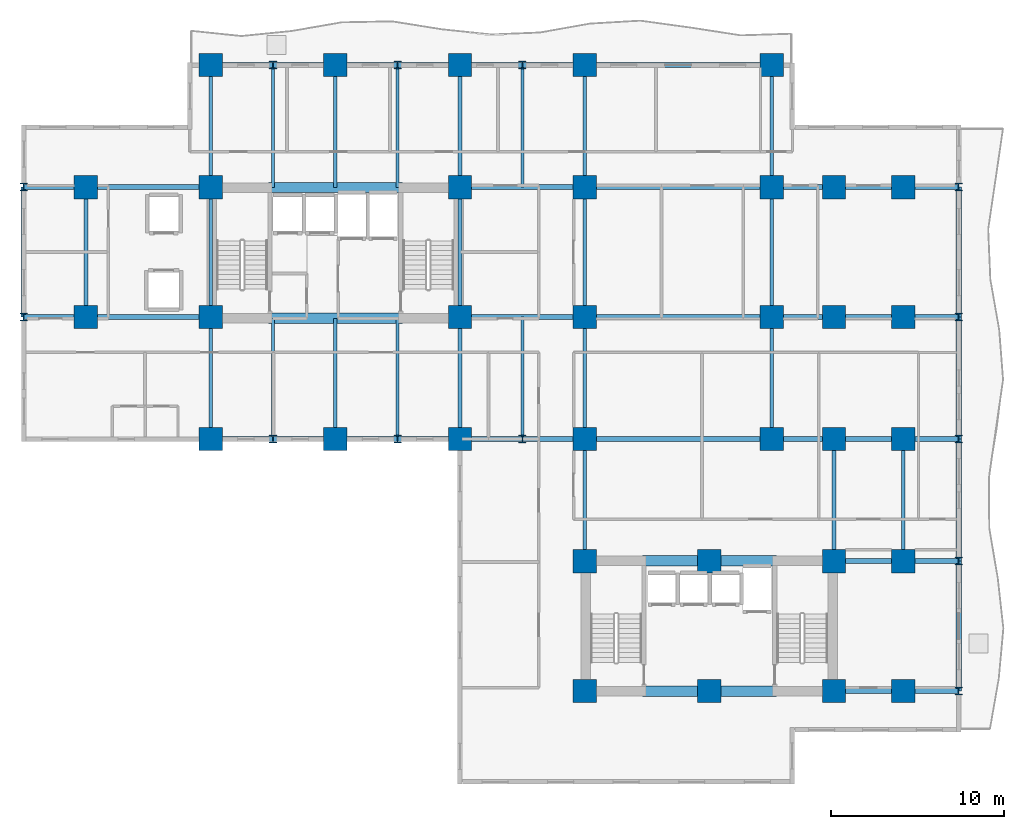
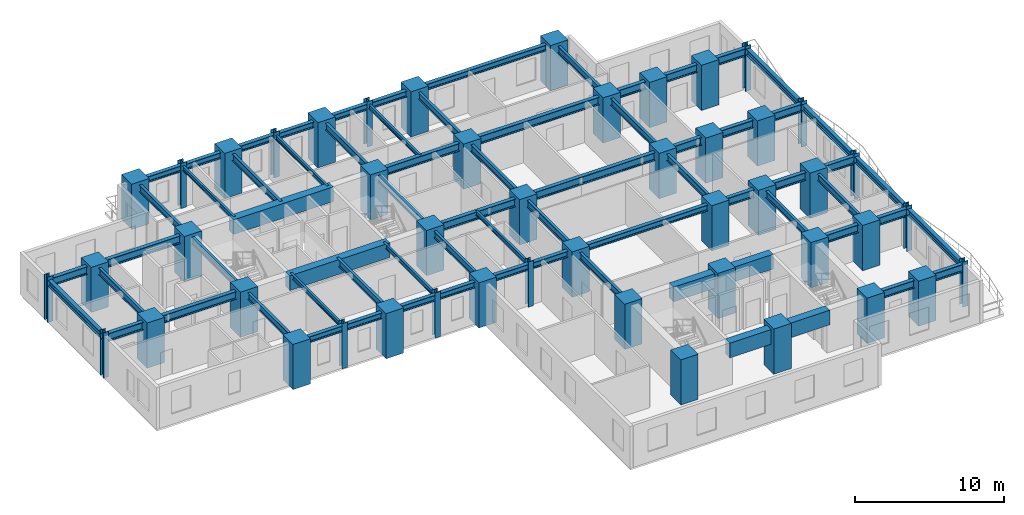
# One storey, part 1 of 11: 68 beams, 47 columns.
"""IFC4 building model written with IfcOpenShell, lengths in metres."""

from ifc_helpers import new_model, si_unit, direction, frame, origin, origin_2d, place, context, subcontext, project, spatial, rectangle, i_section, extrude, source, transform, mapped, material, material_profile, profile_set, type_object, element, save


model = new_model("IFC4")

# Units and contexts
model_context = context("Model", 3, precision=1e-05, world=origin(), true_north=direction((0.0, 1.0)))
body_context = subcontext(model_context, "Body", "Model", "MODEL_VIEW")
ifc_project = project(units=[si_unit("LENGTHUNIT", "METRE"), si_unit("AREAUNIT", "SQUARE_METRE"), si_unit("VOLUMEUNIT", "CUBIC_METRE"), si_unit("PLANEANGLEUNIT", "RADIAN"), si_unit("MASSUNIT", "GRAM", prefix="KILO")], contexts=[model_context])

# Site, building, storey
site_placement = place(None, origin())
site = spatial("IfcSite", under=ifc_project, at=site_placement, CompositionType="ELEMENT")
building_placement = place(site_placement, origin())
building = spatial("IfcBuilding", under=site, at=building_placement, Name="Kaliganga Portal Commons", CompositionType="ELEMENT")
storey_placement = place(building_placement, frame((0.0, 0.0, 54.89990234375)))
storey = spatial("IfcBuildingStorey", under=building, at=storey_placement, Name="L13", CompositionType="ELEMENT", Elevation=54.89990234375)

# Columns
ifc_material_1 = material(Name="Concrete C70/85", Category="concrete")
ifc_material_profile_1 = material_profile(ifc_material_1, rectangle(XDim=1.35009765625, YDim=1.35009765625, at=origin_2d()), Name="RC 1350x1350")
ifc_profile_set_1 = profile_set([ifc_material_profile_1], Name="Concrete C70/85")
column_type_1 = type_object("IfcColumnType", Name="COL-MEGA-Z1", PredefinedType="COLUMN", material=ifc_profile_set_1)
shared_shape_1 = source(origin(), body_context, "Body", "SweptSolid", [
    extrude(rectangle(XDim=1.35009765625, YDim=1.35009765625, at=origin_2d()), origin(), (0.0, 0.0, 1.0), 3.7001953125),
])
for number, where, z_axis, x_axis, name in (
    (1, (7.199951171875, 28.64990234375, 0.0), (0.0, 0.0, 1.0), (1.0, 0.0, 0.0), "Column MC-02 L13"),
    (2, (7.199951171875, 36.14990234375, 0.0), (0.0, 0.0, 1.0), (1.0, 0.0, 0.0), "Column MC-02 L13"),
    (3, (14.39990234375, 21.60009765625, 0.0), (0.0, 0.0, 1.0), (1.0, 0.0, 0.0), "Column MC-02 L13"),
    (4, (14.39990234375, 28.64990234375, 0.0), (0.0, 0.0, 1.0), (1.0, 0.0, 0.0), "Column MC-02 L13"),
    (5, (14.39990234375, 36.14990234375, 0.0), (0.0, 0.0, 1.0), (1.0, 0.0, 0.0), "Column MC-02 L13"),
    (6, (14.39990234375, 43.199951171875, 0.0), (0.0, 0.0, 1.0), (1.0, 0.0, 0.0), "Column MC-02 L13"),
    (7, (21.60009765625, 21.60009765625, 0.0), (0.0, 0.0, 1.0), (1.0, 0.0, 0.0), "Column MC-02 L13"),
    (8, (21.60009765625, 43.199951171875, 0.0), (0.0, 0.0, 1.0), (1.0, 0.0, 0.0), "Column MC-02 L13"),
    (9, (28.800048828125, 21.60009765625, 0.0), (0.0, 0.0, 1.0), (1.0, 0.0, 0.0), "Column MC-02 L13"),
    (10, (28.800048828125, 28.64990234375, 0.0), (0.0, 0.0, 1.0), (1.0, 0.0, 0.0), "Column MC-02 L13"),
    (11, (28.800048828125, 36.14990234375, 0.0), (0.0, 0.0, 1.0), (1.0, 0.0, 0.0), "Column MC-02 L13"),
    (12, (28.800048828125, 43.199951171875, 0.0), (0.0, 0.0, 1.0), (1.0, 0.0, 0.0), "Column MC-02 L13"),
    (13, (36.0, 21.60009765625, 0.0), (0.0, 0.0, 1.0), (1.0, 0.0, 0.0), "Column MC-02 L13"),
    (14, (36.0, 43.199951171875, 0.0), (0.0, 0.0, 1.0), (1.0, 0.0, 0.0), "Column MC-02 L13"),
    (15, (36.0, 28.64990234375, 0.0), (0.0, 0.0, 1.0), (1.0, 0.0, 0.0), "Column MC-02 L13"),
    (16, (36.0, 36.14990234375, 0.0), (0.0, 0.0, 1.0), (1.0, 0.0, 0.0), "Column MC-02 L13"),
    (17, (46.800048828125, 21.60009765625, 0.0), (0.0, 0.0, 1.0), (1.0, 0.0, 0.0), "Column MC-02 L13"),
    (18, (46.800048828125, 28.64990234375, 0.0), (0.0, 0.0, 1.0), (1.0, 0.0, 0.0), "Column MC-02 L13"),
    (19, (46.800048828125, 36.14990234375, 0.0), (0.0, 0.0, 1.0), (1.0, 0.0, 0.0), "Column MC-02 L13"),
    (20, (46.800048828125, 43.199951171875, 0.0), (0.0, 0.0, 1.0), (1.0, 0.0, 0.0), "Column MC-02 L13"),
    (21, (36.0, 7.050048828125, 0.0), (0.0, 0.0, 1.0), (1.0, 0.0, 0.0), "Column MC-02 L13"),
    (22, (36.0, 14.550048828125, 0.0), (0.0, 0.0, 1.0), (1.0, 0.0, 0.0), "Column MC-02 L13"),
    (23, (43.199951171875, 7.050048828125, 0.0), (0.0, 0.0, 1.0), (1.0, 0.0, 0.0), "Column MC-02 L13"),
    (24, (43.199951171875, 14.550048828125, 0.0), (0.0, 0.0, 1.0), (1.0, 0.0, 0.0), "Column MC-02 L13"),
    (25, (50.39990234375, 7.050048828125, 0.0), (0.0, 0.0, 1.0), (1.0, 0.0, 0.0), "Column MC-02 L13"),
    (26, (50.39990234375, 14.550048828125, 0.0), (0.0, 0.0, 1.0), (1.0, 0.0, 0.0), "Column MC-02 L13"),
    (27, (50.39990234375, 21.60009765625, 0.0), (0.0, 0.0, 1.0), (1.0, 0.0, 0.0), "Column MC-02 L13"),
    (28, (50.39990234375, 28.64990234375, 0.0), (0.0, 0.0, 1.0), (1.0, 0.0, 0.0), "Column MC-02 L13"),
    (29, (50.39990234375, 36.14990234375, 0.0), (0.0, 0.0, 1.0), (1.0, 0.0, 0.0), "Column MC-02 L13"),
    (30, (54.39990234375, 7.050048828125, 0.0), (0.0, 0.0, 1.0), (1.0, 0.0, 0.0), "Column MC-02 L13"),
    (31, (54.39990234375, 14.550048828125, 0.0), (0.0, 0.0, 1.0), (1.0, 0.0, 0.0), "Column MC-02 L13"),
    (32, (54.39990234375, 21.60009765625, 0.0), (0.0, 0.0, 1.0), (1.0, 0.0, 0.0), "Column MC-02 L13"),
    (33, (54.39990234375, 28.64990234375, 0.0), (0.0, 0.0, 1.0), (1.0, 0.0, 0.0), "Column MC-02 L13"),
    (34, (54.39990234375, 36.14990234375, 0.0), (0.0, 0.0, 1.0), (1.0, 0.0, 0.0), "Column MC-02 L13"),
):
    element("IfcColumn", number, at=place(storey_placement, frame(where, z_axis=z_axis, x_axis=x_axis)), inside=storey, type_object=column_type_1, Name=name, PredefinedType="COLUMN", context=body_context, shape_type="MappedRepresentation", body=[
        mapped(shared_shape_1, transform((0.0, 0.0, 0.0), x_axis=(1.0, 0.0, 0.0), y_axis=(0.0, 1.0, 0.0), z_axis=(0.0, 0.0, 1.0), scale=1.0)),
    ])
ifc_material_2 = material(Name="Structural steel S460M", Category="steel")
ifc_material_profile_2 = material_profile(ifc_material_2, i_section(OverallWidth=0.416015625, OverallDepth=0.446044921875, WebThickness=0.029052734375, FlangeThickness=0.0400390625, FilletRadius=0.014892578125, at=origin_2d()), Name="HD 400x509")
ifc_profile_set_2 = profile_set([ifc_material_profile_2], Name="Structural steel S460M wide-flange")
column_type_2 = type_object("IfcColumnType", Name="COL-TUBE-B1", PredefinedType="COLUMN", material=ifc_profile_set_2)
shared_shape_2 = source(origin(), body_context, "Body", "SweptSolid", [
    extrude(i_section(OverallWidth=0.416015625, OverallDepth=0.446044921875, WebThickness=0.029052734375, FlangeThickness=0.0400390625, FilletRadius=0.014892578125, at=origin_2d()), origin(), (0.0, 0.0, 1.0), 3.7001953125),
])
for number, where, z_axis, x_axis, name in (
    (35, (3.60009765625, 28.64990234375, 0.0), (0.0, 0.0, 1.0), (1.0, 0.0, 0.0), "Column TC-01 L13"),
    (36, (3.60009765625, 36.14990234375, 0.0), (0.0, 0.0, 1.0), (1.0, 0.0, 0.0), "Column TC-01 L13"),
    (37, (18.0, 21.60009765625, 0.0), (0.0, 0.0, 1.0), (1.0, 0.0, 0.0), "Column TC-01 L13"),
    (38, (18.0, 43.199951171875, 0.0), (0.0, 0.0, 1.0), (1.0, 0.0, 0.0), "Column TC-01 L13"),
    (39, (25.199951171875, 21.60009765625, 0.0), (0.0, 0.0, 1.0), (1.0, 0.0, 0.0), "Column TC-01 L13"),
    (40, (25.199951171875, 43.199951171875, 0.0), (0.0, 0.0, 1.0), (1.0, 0.0, 0.0), "Column TC-01 L13"),
    (41, (32.39990234375, 21.60009765625, 0.0), (0.0, 0.0, 1.0), (1.0, 0.0, 0.0), "Column TC-01 L13"),
    (42, (32.39990234375, 43.199951171875, 0.0), (0.0, 0.0, 1.0), (1.0, 0.0, 0.0), "Column TC-01 L13"),
    (43, (57.60009765625, 7.050048828125, 0.0), (0.0, 0.0, 1.0), (1.0, 0.0, 0.0), "Column TC-01 L13"),
    (44, (57.60009765625, 14.550048828125, 0.0), (0.0, 0.0, 1.0), (1.0, 0.0, 0.0), "Column TC-01 L13"),
    (45, (57.60009765625, 21.60009765625, 0.0), (0.0, 0.0, 1.0), (1.0, 0.0, 0.0), "Column TC-01 L13"),
    (46, (57.60009765625, 28.64990234375, 0.0), (0.0, 0.0, 1.0), (1.0, 0.0, 0.0), "Column TC-01 L13"),
    (47, (57.60009765625, 36.14990234375, 0.0), (0.0, 0.0, 1.0), (1.0, 0.0, 0.0), "Column TC-01 L13"),
):
    element("IfcColumn", number, at=place(storey_placement, frame(where, z_axis=z_axis, x_axis=x_axis)), inside=storey, type_object=column_type_2, Name=name, PredefinedType="COLUMN", context=body_context, shape_type="MappedRepresentation", body=[
        mapped(shared_shape_2, transform((0.0, 0.0, 0.0), x_axis=(1.0, 0.0, 0.0), y_axis=(0.0, 1.0, 0.0), z_axis=(0.0, 0.0, 1.0), scale=1.0)),
    ])

# Beams
ifc_material_3 = material(Name="Concrete C60/75", Category="concrete")
ifc_material_profile_3 = material_profile(ifc_material_3, rectangle(XDim=0.60009765625, YDim=1.199951171875, at=origin_2d()), Name="RC 600x1200")
ifc_profile_set_3 = profile_set([ifc_material_profile_3], Name="Concrete C60/75")
beam_type_1 = type_object("IfcBeamType", Name="BM-CPL-1200", PredefinedType="LINTEL", material=ifc_profile_set_3)
shared_shape_3 = source(origin(), body_context, "Body", "SweptSolid", [
    extrude(rectangle(XDim=0.60009765625, YDim=1.199951171875, at=origin_2d()), origin(), (0.0, 0.0, 1.0), 7.739990234375),
])
for number, where, z_axis, x_axis, name in (
    (48, (17.72998046875, 28.574951171875, 2.85009765625), (1.0, 0.0, 0.0), (0.0, 1.0, 0.0), "BM CPL COREA L13 S"),
    (49, (17.72998046875, 36.125, 2.85009765625), (1.0, 0.0, 0.0), (0.0, 1.0, 0.0), "BM CPL COREA L13 N"),
    (50, (39.330078125, 7.02490234375, 2.85009765625), (1.0, 0.0, 0.0), (0.0, 1.0, 0.0), "BM CPL COREB L13 S"),
    (51, (39.330078125, 14.574951171875, 2.85009765625), (1.0, 0.0, 0.0), (0.0, 1.0, 0.0), "BM CPL COREB L13 N"),
):
    element("IfcBeam", number, at=place(storey_placement, frame(where, z_axis=z_axis, x_axis=x_axis)), inside=storey, type_object=beam_type_1, Name=name, PredefinedType="LINTEL", context=body_context, shape_type="MappedRepresentation", body=[
        mapped(shared_shape_3, transform((0.0, 0.0, 0.0), x_axis=(1.0, 0.0, 0.0), y_axis=(0.0, 1.0, 0.0), z_axis=(0.0, 0.0, 1.0), scale=1.0)),
    ])
ifc_material_4 = material(Name="Structural steel S355J2", Category="steel")
ifc_material_profile_4 = material_profile(ifc_material_4, i_section(OverallWidth=0.300048828125, OverallDepth=0.5, WebThickness=0.014404296875, FlangeThickness=0.028076171875, FilletRadius=0.027099609375, at=origin_2d()), Name="HE 500 B")
ifc_profile_set_4 = profile_set([ifc_material_profile_4], Name="Structural steel S355J2 wide-flange")
beam_type_2 = type_object("IfcBeamType", Name="BM-SPAND-500", PredefinedType="SPANDREL", material=ifc_profile_set_4)
shared_shape_4 = source(origin(), body_context, "Body", "SweptSolid", [
    extrude(i_section(OverallWidth=0.300048828125, OverallDepth=0.5, WebThickness=0.014404296875, FlangeThickness=0.028076171875, FilletRadius=0.027099609375, at=origin_2d()), origin(), (0.0, 0.0, 1.0), 10.800048828125),
])
for number, where, z_axis, x_axis, name in (
    (52, (36.0, 43.199951171875, 3.2001953125), (1.0, 0.0, 0.0), (0.0, 1.0, 0.0), "BM SP L13 AN 7"),
    (53, (36.0, 21.60009765625, 3.2001953125), (1.0, 0.0, 0.0), (0.0, 1.0, 0.0), "BM SP L13 AS 7"),
):
    element("IfcBeam", number, at=place(storey_placement, frame(where, z_axis=z_axis, x_axis=x_axis)), inside=storey, type_object=beam_type_2, Name=name, PredefinedType="SPANDREL", context=body_context, shape_type="MappedRepresentation", body=[
        mapped(shared_shape_4, transform((0.0, 0.0, 0.0), x_axis=(1.0, 0.0, 0.0), y_axis=(0.0, 1.0, 0.0), z_axis=(0.0, 0.0, 1.0), scale=1.0)),
    ])
shared_shape_5 = source(origin(), body_context, "Body", "SweptSolid", [
    extrude(i_section(OverallWidth=0.300048828125, OverallDepth=0.5, WebThickness=0.014404296875, FlangeThickness=0.028076171875, FilletRadius=0.027099609375, at=origin_2d()), origin(), (0.0, 0.0, 1.0), 7.5),
])
for number, where, z_axis, x_axis, name in (
    (54, (3.60009765625, 28.64990234375, 3.2001953125), (0.0, 1.0, 0.0), (-1.0, 0.0, 0.0), "BM SP L13 AW"),
    (55, (57.60009765625, 7.050048828125, 3.2001953125), (0.0, 1.0, 0.0), (-1.0, 0.0, 0.0), "BM SP L13 BE 1"),
    (56, (57.60009765625, 28.64990234375, 3.2001953125), (0.0, 1.0, 0.0), (-1.0, 0.0, 0.0), "BM SP L13 BE 4"),
):
    element("IfcBeam", number, at=place(storey_placement, frame(where, z_axis=z_axis, x_axis=x_axis)), inside=storey, type_object=beam_type_2, Name=name, PredefinedType="SPANDREL", context=body_context, shape_type="MappedRepresentation", body=[
        mapped(shared_shape_5, transform((0.0, 0.0, 0.0), x_axis=(1.0, 0.0, 0.0), y_axis=(0.0, 1.0, 0.0), z_axis=(0.0, 0.0, 1.0), scale=1.0)),
    ])
shared_shape_6 = source(origin(), body_context, "Body", "SweptSolid", [
    extrude(i_section(OverallWidth=0.300048828125, OverallDepth=0.5, WebThickness=0.014404296875, FlangeThickness=0.028076171875, FilletRadius=0.027099609375, at=origin_2d()), origin(), (0.0, 0.0, 1.0), 7.050048828125),
])
beam_1_placement = place(storey_placement, frame((57.60009765625, 14.550048828125, 3.2001953125), z_axis=(0.0, 1.0, 0.0), x_axis=(-1.0, 0.0, 0.0)))
element("IfcBeam", 57, at=beam_1_placement, inside=storey, type_object=beam_type_2, Name="BM SP L13 BE 2", PredefinedType="SPANDREL", context=body_context, shape_type="MappedRepresentation", body=[
    mapped(shared_shape_6, transform((0.0, 0.0, 0.0), x_axis=(1.0, 0.0, 0.0), y_axis=(0.0, 1.0, 0.0), z_axis=(0.0, 0.0, 1.0), scale=1.0)),
])
shared_shape_7 = source(origin(), body_context, "Body", "SweptSolid", [
    extrude(i_section(OverallWidth=0.300048828125, OverallDepth=0.5, WebThickness=0.014404296875, FlangeThickness=0.028076171875, FilletRadius=0.027099609375, at=origin_2d()), origin(), (0.0, 0.0, 1.0), 7.0498046875),
])
beam_2_placement = place(storey_placement, frame((57.60009765625, 21.60009765625, 3.2001953125), z_axis=(0.0, 1.0, 0.0), x_axis=(-1.0, 0.0, 0.0)))
element("IfcBeam", 58, at=beam_2_placement, inside=storey, type_object=beam_type_2, Name="BM SP L13 BE 3", PredefinedType="SPANDREL", context=body_context, shape_type="MappedRepresentation", body=[
    mapped(shared_shape_7, transform((0.0, 0.0, 0.0), x_axis=(1.0, 0.0, 0.0), y_axis=(0.0, 1.0, 0.0), z_axis=(0.0, 0.0, 1.0), scale=1.0)),
])
shared_shape_8 = source(origin(), body_context, "Body", "SweptSolid", [
    extrude(i_section(OverallWidth=0.300048828125, OverallDepth=0.5, WebThickness=0.014404296875, FlangeThickness=0.028076171875, FilletRadius=0.027099609375, at=origin_2d()), origin(), (0.0, 0.0, 1.0), 3.60009765625),
])
for number, where, z_axis, x_axis, name in (
    (59, (14.39990234375, 43.199951171875, 3.2001953125), (1.0, 0.0, 0.0), (0.0, 1.0, 0.0), "BM SP L13 AN 1"),
    (60, (18.0, 43.199951171875, 3.2001953125), (1.0, 0.0, 0.0), (0.0, 1.0, 0.0), "BM SP L13 AN 2"),
    (61, (25.199951171875, 43.199951171875, 3.2001953125), (1.0, 0.0, 0.0), (0.0, 1.0, 0.0), "BM SP L13 AN 4"),
    (62, (32.39990234375, 43.199951171875, 3.2001953125), (1.0, 0.0, 0.0), (0.0, 1.0, 0.0), "BM SP L13 AN 6"),
    (63, (14.39990234375, 21.60009765625, 3.2001953125), (1.0, 0.0, 0.0), (0.0, 1.0, 0.0), "BM SP L13 AS 1"),
    (64, (18.0, 21.60009765625, 3.2001953125), (1.0, 0.0, 0.0), (0.0, 1.0, 0.0), "BM SP L13 AS 2"),
    (65, (25.199951171875, 21.60009765625, 3.2001953125), (1.0, 0.0, 0.0), (0.0, 1.0, 0.0), "BM SP L13 AS 4"),
    (66, (32.39990234375, 21.60009765625, 3.2001953125), (1.0, 0.0, 0.0), (0.0, 1.0, 0.0), "BM SP L13 AS 6"),
):
    element("IfcBeam", number, at=place(storey_placement, frame(where, z_axis=z_axis, x_axis=x_axis)), inside=storey, type_object=beam_type_2, Name=name, PredefinedType="SPANDREL", context=body_context, shape_type="MappedRepresentation", body=[
        mapped(shared_shape_8, transform((0.0, 0.0, 0.0), x_axis=(1.0, 0.0, 0.0), y_axis=(0.0, 1.0, 0.0), z_axis=(0.0, 0.0, 1.0), scale=1.0)),
    ])
shared_shape_9 = source(origin(), body_context, "Body", "SweptSolid", [
    extrude(i_section(OverallWidth=0.300048828125, OverallDepth=0.5, WebThickness=0.014404296875, FlangeThickness=0.028076171875, FilletRadius=0.027099609375, at=origin_2d()), origin(), (0.0, 0.0, 1.0), 3.599853515625),
])
for number, where, z_axis, x_axis, name in (
    (67, (21.60009765625, 43.199951171875, 3.2001953125), (1.0, 0.0, 0.0), (0.0, 1.0, 0.0), "BM SP L13 AN 3"),
    (68, (28.800048828125, 43.199951171875, 3.2001953125), (1.0, 0.0, 0.0), (0.0, 1.0, 0.0), "BM SP L13 AN 5"),
    (69, (21.60009765625, 21.60009765625, 3.2001953125), (1.0, 0.0, 0.0), (0.0, 1.0, 0.0), "BM SP L13 AS 3"),
    (70, (28.800048828125, 21.60009765625, 3.2001953125), (1.0, 0.0, 0.0), (0.0, 1.0, 0.0), "BM SP L13 AS 5"),
):
    element("IfcBeam", number, at=place(storey_placement, frame(where, z_axis=z_axis, x_axis=x_axis)), inside=storey, type_object=beam_type_2, Name=name, PredefinedType="SPANDREL", context=body_context, shape_type="MappedRepresentation", body=[
        mapped(shared_shape_9, transform((0.0, 0.0, 0.0), x_axis=(1.0, 0.0, 0.0), y_axis=(0.0, 1.0, 0.0), z_axis=(0.0, 0.0, 1.0), scale=1.0)),
    ])
ifc_material_profile_5 = material_profile(ifc_material_4, i_section(OverallWidth=0.300048828125, OverallDepth=0.64990234375, WebThickness=0.01611328125, FlangeThickness=0.031005859375, FilletRadius=0.027099609375, at=origin_2d()), Name="HE 650 B")
ifc_profile_set_5 = profile_set([ifc_material_profile_5], Name="Structural steel S355J2 wide-flange")
beam_type_3 = type_object("IfcBeamType", Name="BM-GIRD-650", PredefinedType="USERDEFINED", material=ifc_profile_set_5)
shared_shape_10 = source(origin(), body_context, "Body", "SweptSolid", [
    extrude(i_section(OverallWidth=0.300048828125, OverallDepth=0.64990234375, WebThickness=0.01611328125, FlangeThickness=0.031005859375, FilletRadius=0.027099609375, at=origin_2d()), origin(), (0.0, 0.0, 1.0), 3.599853515625),
])
for number, where, z_axis, x_axis, name in (
    (71, (3.60009765625, 28.64990234375, 3.125), (1.0, 0.0, 0.0), (0.0, 1.0, 0.0), "BM G L13 WAH_S 1"),
    (72, (3.60009765625, 36.14990234375, 3.125), (1.0, 0.0, 0.0), (0.0, 1.0, 0.0), "BM G L13 WAH_N 1"),
    (73, (46.800048828125, 21.60009765625, 3.125), (1.0, 0.0, 0.0), (0.0, 1.0, 0.0), "BM G L13 BKE216 1"),
    (74, (46.800048828125, 28.64990234375, 3.125), (1.0, 0.0, 0.0), (0.0, 1.0, 0.0), "BM G L13 BKE286 1"),
    (75, (46.800048828125, 36.14990234375, 3.125), (1.0, 0.0, 0.0), (0.0, 1.0, 0.0), "BM G L13 BKE362 1"),
):
    element("IfcBeam", number, at=place(storey_placement, frame(where, z_axis=z_axis, x_axis=x_axis)), inside=storey, type_object=beam_type_3, Name=name, ObjectType="GIRDER", PredefinedType="USERDEFINED", context=body_context, shape_type="MappedRepresentation", body=[
        mapped(shared_shape_10, transform((0.0, 0.0, 0.0), x_axis=(1.0, 0.0, 0.0), y_axis=(0.0, 1.0, 0.0), z_axis=(0.0, 0.0, 1.0), scale=1.0)),
    ])
shared_shape_11 = source(origin(), body_context, "Body", "SweptSolid", [
    extrude(i_section(OverallWidth=0.300048828125, OverallDepth=0.64990234375, WebThickness=0.01611328125, FlangeThickness=0.031005859375, FilletRadius=0.027099609375, at=origin_2d()), origin(), (0.0, 0.0, 1.0), 7.199951171875),
])
for number, where, z_axis, x_axis, name in (
    (76, (7.199951171875, 28.64990234375, 3.125), (1.0, 0.0, 0.0), (0.0, 1.0, 0.0), "BM G L13 WAH_S 2"),
    (77, (7.199951171875, 36.14990234375, 3.125), (1.0, 0.0, 0.0), (0.0, 1.0, 0.0), "BM G L13 WAH_N 2"),
    (78, (28.800048828125, 28.64990234375, 3.125), (1.0, 0.0, 0.0), (0.0, 1.0, 0.0), "BM G L13 WAE_S 1"),
    (79, (28.800048828125, 36.14990234375, 3.125), (1.0, 0.0, 0.0), (0.0, 1.0, 0.0), "BM G L13 WAE_N 1"),
):
    element("IfcBeam", number, at=place(storey_placement, frame(where, z_axis=z_axis, x_axis=x_axis)), inside=storey, type_object=beam_type_3, Name=name, ObjectType="GIRDER", PredefinedType="USERDEFINED", context=body_context, shape_type="MappedRepresentation", body=[
        mapped(shared_shape_11, transform((0.0, 0.0, 0.0), x_axis=(1.0, 0.0, 0.0), y_axis=(0.0, 1.0, 0.0), z_axis=(0.0, 0.0, 1.0), scale=1.0)),
    ])
shared_shape_12 = source(origin(), body_context, "Body", "SweptSolid", [
    extrude(i_section(OverallWidth=0.300048828125, OverallDepth=0.64990234375, WebThickness=0.01611328125, FlangeThickness=0.031005859375, FilletRadius=0.027099609375, at=origin_2d()), origin(), (0.0, 0.0, 1.0), 10.800048828125),
])
for number, where, z_axis, x_axis, name in (
    (80, (36.0, 28.64990234375, 3.125), (1.0, 0.0, 0.0), (0.0, 1.0, 0.0), "BM G L13 WAE_S 2"),
    (81, (36.0, 36.14990234375, 3.125), (1.0, 0.0, 0.0), (0.0, 1.0, 0.0), "BM G L13 WAE_N 2"),
):
    element("IfcBeam", number, at=place(storey_placement, frame(where, z_axis=z_axis, x_axis=x_axis)), inside=storey, type_object=beam_type_3, Name=name, ObjectType="GIRDER", PredefinedType="USERDEFINED", context=body_context, shape_type="MappedRepresentation", body=[
        mapped(shared_shape_12, transform((0.0, 0.0, 0.0), x_axis=(1.0, 0.0, 0.0), y_axis=(0.0, 1.0, 0.0), z_axis=(0.0, 0.0, 1.0), scale=1.0)),
    ])
ifc_material_profile_6 = material_profile(ifc_material_4, i_section(OverallWidth=0.2099609375, OverallDepth=0.550048828125, WebThickness=0.010986328125, FlangeThickness=0.01708984375, FilletRadius=0.02392578125, at=origin_2d()), Name="IPE 550")
ifc_profile_set_6 = profile_set([ifc_material_profile_6], Name="Structural steel S355J2 wide-flange")
beam_type_4 = type_object("IfcBeamType", Name="BM-FLR-550", PredefinedType="BEAM", material=ifc_profile_set_6)
shared_shape_13 = source(origin(), body_context, "Body", "SweptSolid", [
    extrude(i_section(OverallWidth=0.2099609375, OverallDepth=0.550048828125, WebThickness=0.010986328125, FlangeThickness=0.01708984375, FilletRadius=0.02392578125, at=origin_2d()), origin(), (0.0, 0.0, 1.0), 7.5),
])
for number, where, z_axis, x_axis, name in (
    (82, (7.199951171875, 28.64990234375, 3.175048828125), (0.0, 1.0, 0.0), (-1.0, 0.0, 0.0), "BM G L13 AW72"),
    (83, (14.39990234375, 28.64990234375, 3.175048828125), (0.0, 1.0, 0.0), (-1.0, 0.0, 0.0), "BM G L13 AM144"),
    (84, (28.800048828125, 28.64990234375, 3.175048828125), (0.0, 1.0, 0.0), (-1.0, 0.0, 0.0), "BM G L13 AM288"),
    (85, (36.0, 28.64990234375, 3.175048828125), (0.0, 1.0, 0.0), (-1.0, 0.0, 0.0), "BM G L13 AM360"),
    (86, (46.800048828125, 28.64990234375, 3.175048828125), (0.0, 1.0, 0.0), (-1.0, 0.0, 0.0), "BM G L13 AM468"),
):
    element("IfcBeam", number, at=place(storey_placement, frame(where, z_axis=z_axis, x_axis=x_axis)), inside=storey, type_object=beam_type_4, Name=name, PredefinedType="BEAM", context=body_context, shape_type="MappedRepresentation", body=[
        mapped(shared_shape_13, transform((0.0, 0.0, 0.0), x_axis=(1.0, 0.0, 0.0), y_axis=(0.0, 1.0, 0.0), z_axis=(0.0, 0.0, 1.0), scale=1.0)),
    ])
shared_shape_14 = source(origin(), body_context, "Body", "SweptSolid", [
    extrude(i_section(OverallWidth=0.2099609375, OverallDepth=0.550048828125, WebThickness=0.010986328125, FlangeThickness=0.01708984375, FilletRadius=0.02392578125, at=origin_2d()), origin(), (0.0, 0.0, 1.0), 7.050048828125),
])
for number, where, z_axis, x_axis, name in (
    (87, (14.39990234375, 36.14990234375, 3.175048828125), (0.0, 1.0, 0.0), (-1.0, 0.0, 0.0), "BM G L13 AN144"),
    (88, (28.800048828125, 36.14990234375, 3.175048828125), (0.0, 1.0, 0.0), (-1.0, 0.0, 0.0), "BM G L13 AN288"),
    (89, (36.0, 36.14990234375, 3.175048828125), (0.0, 1.0, 0.0), (-1.0, 0.0, 0.0), "BM G L13 AN360"),
    (90, (46.800048828125, 36.14990234375, 3.175048828125), (0.0, 1.0, 0.0), (-1.0, 0.0, 0.0), "BM G L13 AN468"),
    (91, (36.0, 14.550048828125, 3.175048828125), (0.0, 1.0, 0.0), (-1.0, 0.0, 0.0), "BM G L13 BNK360"),
    (92, (50.39990234375, 14.550048828125, 3.175048828125), (0.0, 1.0, 0.0), (-1.0, 0.0, 0.0), "BM G L13 BNK504"),
    (93, (54.39990234375, 14.550048828125, 3.175048828125), (0.0, 1.0, 0.0), (-1.0, 0.0, 0.0), "BM G L13 BNK544"),
):
    element("IfcBeam", number, at=place(storey_placement, frame(where, z_axis=z_axis, x_axis=x_axis)), inside=storey, type_object=beam_type_4, Name=name, PredefinedType="BEAM", context=body_context, shape_type="MappedRepresentation", body=[
        mapped(shared_shape_14, transform((0.0, 0.0, 0.0), x_axis=(1.0, 0.0, 0.0), y_axis=(0.0, 1.0, 0.0), z_axis=(0.0, 0.0, 1.0), scale=1.0)),
    ])
shared_shape_15 = source(origin(), body_context, "Body", "SweptSolid", [
    extrude(i_section(OverallWidth=0.2099609375, OverallDepth=0.550048828125, WebThickness=0.010986328125, FlangeThickness=0.01708984375, FilletRadius=0.02392578125, at=origin_2d()), origin(), (0.0, 0.0, 1.0), 7.0498046875),
])
for number, where, z_axis, x_axis, name in (
    (94, (14.39990234375, 21.60009765625, 3.175048828125), (0.0, 1.0, 0.0), (-1.0, 0.0, 0.0), "BM G L13 AS144"),
    (95, (28.800048828125, 21.60009765625, 3.175048828125), (0.0, 1.0, 0.0), (-1.0, 0.0, 0.0), "BM G L13 AS288"),
    (96, (36.0, 21.60009765625, 3.175048828125), (0.0, 1.0, 0.0), (-1.0, 0.0, 0.0), "BM G L13 AS360"),
    (97, (46.800048828125, 21.60009765625, 3.175048828125), (0.0, 1.0, 0.0), (-1.0, 0.0, 0.0), "BM G L13 AS468"),
):
    element("IfcBeam", number, at=place(storey_placement, frame(where, z_axis=z_axis, x_axis=x_axis)), inside=storey, type_object=beam_type_4, Name=name, PredefinedType="BEAM", context=body_context, shape_type="MappedRepresentation", body=[
        mapped(shared_shape_15, transform((0.0, 0.0, 0.0), x_axis=(1.0, 0.0, 0.0), y_axis=(0.0, 1.0, 0.0), z_axis=(0.0, 0.0, 1.0), scale=1.0)),
    ])
ifc_material_profile_7 = material_profile(ifc_material_4, i_section(OverallWidth=0.169921875, OverallDepth=0.360107421875, WebThickness=0.008056640625, FlangeThickness=0.0126953125, FilletRadius=0.01806640625, at=origin_2d()), Name="IPE 360")
ifc_profile_set_7 = profile_set([ifc_material_profile_7], Name="Structural steel S355J2 wide-flange")
beam_type_5 = type_object("IfcBeamType", Name="BM-JST-360", PredefinedType="JOIST", material=ifc_profile_set_7)
shared_shape_16 = source(origin(), body_context, "Body", "SweptSolid", [
    extrude(i_section(OverallWidth=0.169921875, OverallDepth=0.360107421875, WebThickness=0.008056640625, FlangeThickness=0.0126953125, FilletRadius=0.01806640625, at=origin_2d()), origin(), (0.0, 0.0, 1.0), 7.074951171875),
])
for number, where, z_axis, x_axis, name in (
    (98, (18.0, 36.125, 3.27001953125), (0.0, 1.0, 0.0), (-1.0, 0.0, 0.0), "BM G L13 AN180"),
    (99, (25.199951171875, 36.125, 3.27001953125), (0.0, 1.0, 0.0), (-1.0, 0.0, 0.0), "BM G L13 AN252"),
):
    element("IfcBeam", number, at=place(storey_placement, frame(where, z_axis=z_axis, x_axis=x_axis)), inside=storey, type_object=beam_type_5, Name=name, PredefinedType="JOIST", context=body_context, shape_type="MappedRepresentation", body=[
        mapped(shared_shape_16, transform((0.0, 0.0, 0.0), x_axis=(1.0, 0.0, 0.0), y_axis=(0.0, 1.0, 0.0), z_axis=(0.0, 0.0, 1.0), scale=1.0)),
    ])
shared_shape_17 = source(origin(), body_context, "Body", "SweptSolid", [
    extrude(i_section(OverallWidth=0.169921875, OverallDepth=0.360107421875, WebThickness=0.008056640625, FlangeThickness=0.0126953125, FilletRadius=0.01806640625, at=origin_2d()), origin(), (0.0, 0.0, 1.0), 6.974853515625),
])
for number, where, z_axis, x_axis, name in (
    (100, (18.0, 21.60009765625, 3.27001953125), (0.0, 1.0, 0.0), (-1.0, 0.0, 0.0), "BM G L13 AS180"),
    (101, (25.199951171875, 21.60009765625, 3.27001953125), (0.0, 1.0, 0.0), (-1.0, 0.0, 0.0), "BM G L13 AS252"),
):
    element("IfcBeam", number, at=place(storey_placement, frame(where, z_axis=z_axis, x_axis=x_axis)), inside=storey, type_object=beam_type_5, Name=name, PredefinedType="JOIST", context=body_context, shape_type="MappedRepresentation", body=[
        mapped(shared_shape_17, transform((0.0, 0.0, 0.0), x_axis=(1.0, 0.0, 0.0), y_axis=(0.0, 1.0, 0.0), z_axis=(0.0, 0.0, 1.0), scale=1.0)),
    ])
shared_shape_18 = source(origin(), body_context, "Body", "SweptSolid", [
    extrude(i_section(OverallWidth=0.2099609375, OverallDepth=0.550048828125, WebThickness=0.010986328125, FlangeThickness=0.01708984375, FilletRadius=0.02392578125, at=origin_2d()), origin(), (0.0, 0.0, 1.0), 7.074951171875),
])
beam_3_placement = place(storey_placement, frame((21.60009765625, 36.125, 3.175048828125), z_axis=(0.0, 1.0, 0.0), x_axis=(-1.0, 0.0, 0.0)))
element("IfcBeam", 102, at=beam_3_placement, inside=storey, type_object=beam_type_4, Name="BM G L13 AN216", PredefinedType="BEAM", context=body_context, shape_type="MappedRepresentation", body=[
    mapped(shared_shape_18, transform((0.0, 0.0, 0.0), x_axis=(1.0, 0.0, 0.0), y_axis=(0.0, 1.0, 0.0), z_axis=(0.0, 0.0, 1.0), scale=1.0)),
])
shared_shape_19 = source(origin(), body_context, "Body", "SweptSolid", [
    extrude(i_section(OverallWidth=0.2099609375, OverallDepth=0.550048828125, WebThickness=0.010986328125, FlangeThickness=0.01708984375, FilletRadius=0.02392578125, at=origin_2d()), origin(), (0.0, 0.0, 1.0), 6.974853515625),
])
beam_4_placement = place(storey_placement, frame((21.60009765625, 21.60009765625, 3.175048828125), z_axis=(0.0, 1.0, 0.0), x_axis=(-1.0, 0.0, 0.0)))
element("IfcBeam", 103, at=beam_4_placement, inside=storey, type_object=beam_type_4, Name="BM G L13 AS216", PredefinedType="BEAM", context=body_context, shape_type="MappedRepresentation", body=[
    mapped(shared_shape_19, transform((0.0, 0.0, 0.0), x_axis=(1.0, 0.0, 0.0), y_axis=(0.0, 1.0, 0.0), z_axis=(0.0, 0.0, 1.0), scale=1.0)),
])
shared_shape_20 = source(origin(), body_context, "Body", "SweptSolid", [
    extrude(i_section(OverallWidth=0.169921875, OverallDepth=0.360107421875, WebThickness=0.008056640625, FlangeThickness=0.0126953125, FilletRadius=0.01806640625, at=origin_2d()), origin(), (0.0, 0.0, 1.0), 7.050048828125),
])
beam_5_placement = place(storey_placement, frame((32.39990234375, 36.14990234375, 3.27001953125), z_axis=(0.0, 1.0, 0.0), x_axis=(-1.0, 0.0, 0.0)))
element("IfcBeam", 104, at=beam_5_placement, inside=storey, type_object=beam_type_5, Name="BM G L13 AN324", PredefinedType="JOIST", context=body_context, shape_type="MappedRepresentation", body=[
    mapped(shared_shape_20, transform((0.0, 0.0, 0.0), x_axis=(1.0, 0.0, 0.0), y_axis=(0.0, 1.0, 0.0), z_axis=(0.0, 0.0, 1.0), scale=1.0)),
])
shared_shape_21 = source(origin(), body_context, "Body", "SweptSolid", [
    extrude(i_section(OverallWidth=0.169921875, OverallDepth=0.360107421875, WebThickness=0.008056640625, FlangeThickness=0.0126953125, FilletRadius=0.01806640625, at=origin_2d()), origin(), (0.0, 0.0, 1.0), 7.0498046875),
])
beam_6_placement = place(storey_placement, frame((32.39990234375, 21.60009765625, 3.27001953125), z_axis=(0.0, 1.0, 0.0), x_axis=(-1.0, 0.0, 0.0)))
element("IfcBeam", 105, at=beam_6_placement, inside=storey, type_object=beam_type_5, Name="BM G L13 AS324", PredefinedType="JOIST", context=body_context, shape_type="MappedRepresentation", body=[
    mapped(shared_shape_21, transform((0.0, 0.0, 0.0), x_axis=(1.0, 0.0, 0.0), y_axis=(0.0, 1.0, 0.0), z_axis=(0.0, 0.0, 1.0), scale=1.0)),
])
shared_shape_22 = source(origin(), body_context, "Body", "SweptSolid", [
    extrude(i_section(OverallWidth=0.300048828125, OverallDepth=0.64990234375, WebThickness=0.01611328125, FlangeThickness=0.031005859375, FilletRadius=0.027099609375, at=origin_2d()), origin(), (0.0, 0.0, 1.0), 4.0),
])
for number, where, z_axis, x_axis, name in (
    (106, (50.39990234375, 7.050048828125, 3.125), (1.0, 0.0, 0.0), (0.0, 1.0, 0.0), "BM G L13 BKE70 1"),
    (107, (50.39990234375, 14.550048828125, 3.125), (1.0, 0.0, 0.0), (0.0, 1.0, 0.0), "BM G L13 BKE146 1"),
    (108, (50.39990234375, 21.60009765625, 3.125), (1.0, 0.0, 0.0), (0.0, 1.0, 0.0), "BM G L13 BKE216 2"),
    (109, (50.39990234375, 28.64990234375, 3.125), (1.0, 0.0, 0.0), (0.0, 1.0, 0.0), "BM G L13 BKE286 2"),
    (110, (50.39990234375, 36.14990234375, 3.125), (1.0, 0.0, 0.0), (0.0, 1.0, 0.0), "BM G L13 BKE362 2"),
):
    element("IfcBeam", number, at=place(storey_placement, frame(where, z_axis=z_axis, x_axis=x_axis)), inside=storey, type_object=beam_type_3, Name=name, ObjectType="GIRDER", PredefinedType="USERDEFINED", context=body_context, shape_type="MappedRepresentation", body=[
        mapped(shared_shape_22, transform((0.0, 0.0, 0.0), x_axis=(1.0, 0.0, 0.0), y_axis=(0.0, 1.0, 0.0), z_axis=(0.0, 0.0, 1.0), scale=1.0)),
    ])
shared_shape_23 = source(origin(), body_context, "Body", "SweptSolid", [
    extrude(i_section(OverallWidth=0.300048828125, OverallDepth=0.64990234375, WebThickness=0.01611328125, FlangeThickness=0.031005859375, FilletRadius=0.027099609375, at=origin_2d()), origin(), (0.0, 0.0, 1.0), 3.2001953125),
])
for number, where, z_axis, x_axis, name in (
    (111, (54.39990234375, 7.050048828125, 3.125), (1.0, 0.0, 0.0), (0.0, 1.0, 0.0), "BM G L13 BKE70 2"),
    (112, (54.39990234375, 14.550048828125, 3.125), (1.0, 0.0, 0.0), (0.0, 1.0, 0.0), "BM G L13 BKE146 2"),
    (113, (54.39990234375, 21.60009765625, 3.125), (1.0, 0.0, 0.0), (0.0, 1.0, 0.0), "BM G L13 BKE216 3"),
    (114, (54.39990234375, 28.64990234375, 3.125), (1.0, 0.0, 0.0), (0.0, 1.0, 0.0), "BM G L13 BKE286 3"),
    (115, (54.39990234375, 36.14990234375, 3.125), (1.0, 0.0, 0.0), (0.0, 1.0, 0.0), "BM G L13 BKE362 3"),
):
    element("IfcBeam", number, at=place(storey_placement, frame(where, z_axis=z_axis, x_axis=x_axis)), inside=storey, type_object=beam_type_3, Name=name, ObjectType="GIRDER", PredefinedType="USERDEFINED", context=body_context, shape_type="MappedRepresentation", body=[
        mapped(shared_shape_23, transform((0.0, 0.0, 0.0), x_axis=(1.0, 0.0, 0.0), y_axis=(0.0, 1.0, 0.0), z_axis=(0.0, 0.0, 1.0), scale=1.0)),
    ])

save(model, "model.ifc")
